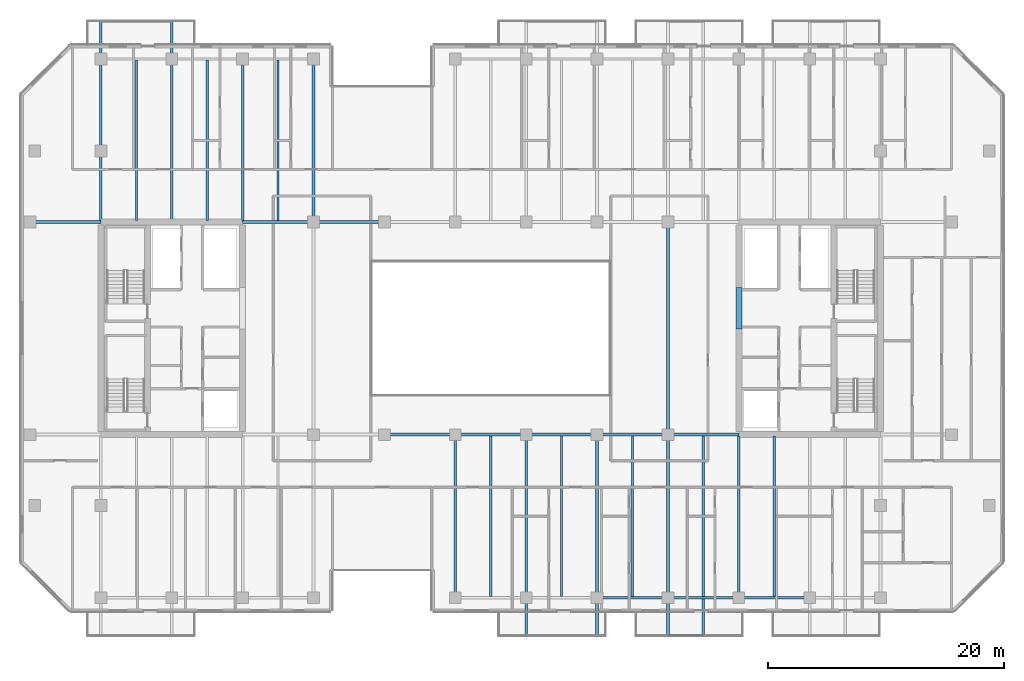
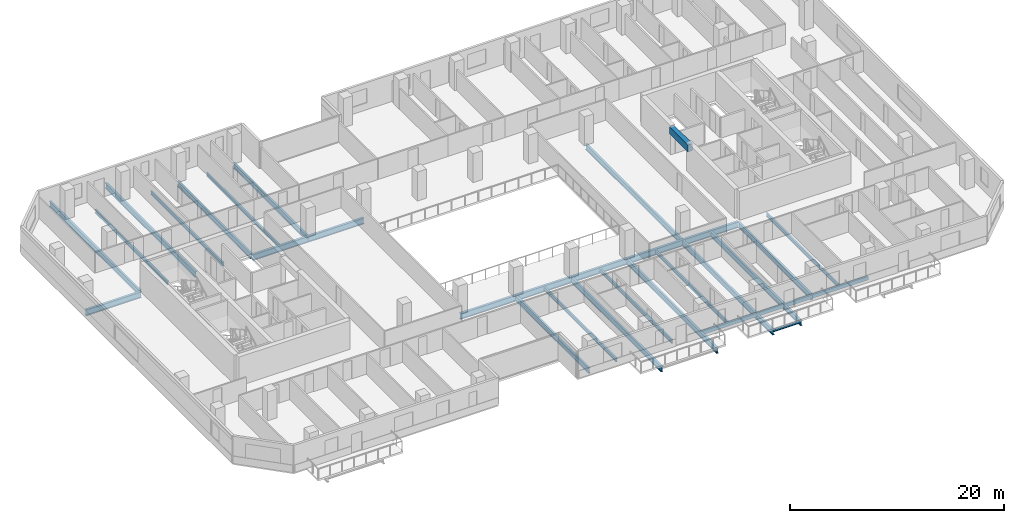
# One storey, part 5 of 23: 31 beams.
"""IFC4 building model written with IfcOpenShell, lengths in metres."""

from ifc_helpers import new_model, si_unit, direction, frame, origin, origin_2d, place, context, subcontext, project, spatial, rectangle, hollow_rectangle, i_section, extrude, material, material_profile, profile_set, type_object, element, save


model = new_model("IFC4")

# Units and contexts
model_context = context("Model", 3, precision=1e-05, world=origin(), true_north=direction((0.0, 1.0)))
body_context = subcontext(model_context, "Body", "Model", "MODEL_VIEW")
ifc_project = project(units=[si_unit("LENGTHUNIT", "METRE"), si_unit("AREAUNIT", "SQUARE_METRE"), si_unit("VOLUMEUNIT", "CUBIC_METRE"), si_unit("PLANEANGLEUNIT", "RADIAN"), si_unit("MASSUNIT", "GRAM", prefix="KILO")], contexts=[model_context])

# Site, building, storey
site_placement = place(None, origin())
site = spatial("IfcSite", under=ifc_project, at=site_placement, CompositionType="ELEMENT")
building_placement = place(site_placement, origin())
building = spatial("IfcBuilding", under=site, at=building_placement, Name="Tanjung Sevakor Pilgrim Tower", CompositionType="ELEMENT")
storey_placement = place(building_placement, frame((0.0, 0.0, 98.669921875)))
storey = spatial("IfcBuildingStorey", under=building, at=storey_placement, Name="L27", CompositionType="ELEMENT", Elevation=98.669921875)

# Beams
ifc_material_1 = material(Name="Steel S355J2", Category="steel")
ifc_material_profile_1 = material_profile(ifc_material_1, i_section(OverallWidth=0.25439453125, OverallDepth=0.6875, WebThickness=0.01318359375, FlangeThickness=0.02099609375, FilletRadius=0.01513671875, at=origin_2d()))
ifc_profile_set_1 = profile_set([ifc_material_profile_1], Name="Steel S355J2")
beam_type_1 = type_object("IfcBeamType", Name="BM-B-G2-UB_686x254x152", PredefinedType="BEAM", material=ifc_profile_set_1)
for number, where, z_axis, x_axis, name in (
    (1, (48.0, 24.60009765625, -0.563720703125), (1.0, 0.0, 0.0), (0.0, 1.0, 0.0), "L27 Primary Floor Girder MAIN Y246-04"),
    (2, (54.0, 24.60009765625, -0.563720703125), (1.0, 0.0, 0.0), (0.0, 1.0, 0.0), "L27 Primary Floor Girder MAIN Y246-05"),
    (3, (60.0, 24.60009765625, -0.563720703125), (1.0, 0.0, 0.0), (0.0, 1.0, 0.0), "L27 Primary Floor Girder MAIN Y246-06"),
    (4, (66.0, 24.60009765625, -0.563720703125), (1.0, 0.0, 0.0), (0.0, 1.0, 0.0), "L27 Primary Floor Girder MAIN Y246-07"),
    (5, (72.0, 24.60009765625, -0.563720703125), (1.0, 0.0, 0.0), (0.0, 1.0, 0.0), "L27 Primary Floor Girder MAIN Y246-08"),
    (6, (18.0, 42.60009765625, -0.563720703125), (1.0, 0.0, 0.0), (0.0, 1.0, 0.0), "L27 Primary Floor Girder MAIN Y426-01"),
    (7, (36.0, 42.60009765625, -0.563720703125), (1.0, 0.0, 0.0), (0.0, 1.0, 0.0), "L27 Primary Floor Girder MAIN Y426-02"),
    (8, (42.0, 42.60009765625, -0.563720703125), (1.0, 0.0, 0.0), (0.0, 1.0, 0.0), "L27 Primary Floor Girder MAIN Y426-03"),
):
    element("IfcBeam", number, at=place(storey_placement, frame(where, z_axis=z_axis, x_axis=x_axis)), inside=storey, type_object=beam_type_1, Name=name, PredefinedType="BEAM", context=body_context, shape_type="SweptSolid", body=[
        extrude(i_section(OverallWidth=0.25439453125, OverallDepth=0.6875, WebThickness=0.01318359375, FlangeThickness=0.02099609375, FilletRadius=0.01513671875, at=origin_2d()), origin(), (0.0, 0.0, 1.0), 6.0),
    ])
ifc_material_2 = material(Name="Steel S355J2", Category="steel")
ifc_material_profile_2 = material_profile(ifc_material_2, i_section(OverallWidth=0.230224609375, OverallDepth=0.6171875, WebThickness=0.01318359375, FlangeThickness=0.022216796875, FilletRadius=0.0126953125, at=origin_2d()))
ifc_profile_set_2 = profile_set([ifc_material_profile_2], Name="Steel S355J2")
beam_type_2 = type_object("IfcBeamType", Name="BM-B-G3-UB_610x229x140", PredefinedType="BEAM", material=ifc_profile_set_2)
for number, where, z_axis, x_axis, name in (
    (9, (24.0, 42.727294921875, -0.528564453125), (0.0, 1.0, 0.0), (-1.0, 0.0, 0.0), "L27 Balcony Cantilever Beam MAIN-N1-1"),
    (10, (30.0, 42.727294921875, -0.528564453125), (0.0, 1.0, 0.0), (-1.0, 0.0, 0.0), "L27 Balcony Cantilever Beam MAIN-N1-2"),
):
    element("IfcBeam", number, at=place(storey_placement, frame(where, z_axis=z_axis, x_axis=x_axis)), inside=storey, type_object=beam_type_2, Name=name, PredefinedType="BEAM", context=body_context, shape_type="SweptSolid", body=[
        extrude(i_section(OverallWidth=0.230224609375, OverallDepth=0.6171875, WebThickness=0.01318359375, FlangeThickness=0.022216796875, FilletRadius=0.0126953125, at=origin_2d()), origin(), (0.0, 0.0, 1.0), 16.852783203125),
    ])
beam_1_placement = place(storey_placement, frame((36.0, 42.727294921875, -0.528564453125), z_axis=(0.0, 1.0, 0.0), x_axis=(-1.0, 0.0, 0.0)))
element("IfcBeam", 11, at=beam_1_placement, inside=storey, type_object=beam_type_2, Name="L27 MAIN Girder 006", PredefinedType="BEAM", context=body_context, shape_type="SweptSolid", body=[
    extrude(i_section(OverallWidth=0.230224609375, OverallDepth=0.6171875, WebThickness=0.01318359375, FlangeThickness=0.022216796875, FilletRadius=0.0126953125, at=origin_2d()), origin(), (0.0, 0.0, 1.0), 13.672607421875),
])
beam_2_placement = place(storey_placement, frame((42.0, 42.60009765625, -0.528564453125), z_axis=(0.0, 1.0, 0.0), x_axis=(-1.0, 0.0, 0.0)))
element("IfcBeam", 12, at=beam_2_placement, inside=storey, type_object=beam_type_2, Name="L27 MAIN Girder 011", PredefinedType="BEAM", context=body_context, shape_type="SweptSolid", body=[
    extrude(i_section(OverallWidth=0.230224609375, OverallDepth=0.6171875, WebThickness=0.01318359375, FlangeThickness=0.022216796875, FilletRadius=0.0126953125, at=origin_2d()), origin(), (0.0, 0.0, 1.0), 13.7998046875),
])
beam_3_placement = place(storey_placement, frame((54.0, 10.800048828125, -0.528564453125), z_axis=(0.0, 1.0, 0.0), x_axis=(-1.0, 0.0, 0.0)))
element("IfcBeam", 13, at=beam_3_placement, inside=storey, type_object=beam_type_2, Name="L27 MAIN Girder 012", PredefinedType="BEAM", context=body_context, shape_type="SweptSolid", body=[
    extrude(i_section(OverallWidth=0.230224609375, OverallDepth=0.6171875, WebThickness=0.01318359375, FlangeThickness=0.022216796875, FilletRadius=0.0126953125, at=origin_2d()), origin(), (0.0, 0.0, 1.0), 13.800048828125),
])
for number, where, z_axis, x_axis, name in (
    (14, (60.0, 24.60009765625, -0.528564453125), (0.0, -1.0, 0.0), (1.0, 0.0, 0.0), "L27 Balcony Cantilever Beam MAIN-S2-1"),
    (15, (66.0, 24.60009765625, -0.528564453125), (0.0, -1.0, 0.0), (1.0, 0.0, 0.0), "L27 Balcony Cantilever Beam MAIN-S2-2"),
    (16, (72.0, 24.60009765625, -0.528564453125), (0.0, -1.0, 0.0), (1.0, 0.0, 0.0), "L27 Balcony Cantilever Beam MAIN-S3-1"),
):
    element("IfcBeam", number, at=place(storey_placement, frame(where, z_axis=z_axis, x_axis=x_axis)), inside=storey, type_object=beam_type_2, Name=name, PredefinedType="BEAM", context=body_context, shape_type="SweptSolid", body=[
        extrude(i_section(OverallWidth=0.230224609375, OverallDepth=0.6171875, WebThickness=0.01318359375, FlangeThickness=0.022216796875, FilletRadius=0.0126953125, at=origin_2d()), origin(), (0.0, 0.0, 1.0), 16.97998046875),
    ])
beam_4_placement = place(storey_placement, frame((72.0, 24.60009765625, -0.528564453125), z_axis=(0.0, 1.0, 0.0), x_axis=(-1.0, 0.0, 0.0)))
element("IfcBeam", 17, at=beam_4_placement, inside=storey, type_object=beam_type_2, Name="L27 MAIN Girder 020", PredefinedType="BEAM", context=body_context, shape_type="SweptSolid", body=[
    extrude(i_section(OverallWidth=0.230224609375, OverallDepth=0.6171875, WebThickness=0.01318359375, FlangeThickness=0.022216796875, FilletRadius=0.0126953125, at=origin_2d()), origin(), (0.0, 0.0, 1.0), 18.0),
])
beam_5_placement = place(storey_placement, frame((78.0, 10.800048828125, -0.528564453125), z_axis=(0.0, 1.0, 0.0), x_axis=(-1.0, 0.0, 0.0)))
element("IfcBeam", 18, at=beam_5_placement, inside=storey, type_object=beam_type_2, Name="L27 MAIN Girder 021", PredefinedType="BEAM", context=body_context, shape_type="SweptSolid", body=[
    extrude(i_section(OverallWidth=0.230224609375, OverallDepth=0.6171875, WebThickness=0.01318359375, FlangeThickness=0.022216796875, FilletRadius=0.0126953125, at=origin_2d()), origin(), (0.0, 0.0, 1.0), 13.672607421875),
])
ifc_material_3 = material(Name="Steel S355J2", Category="steel")
ifc_material_profile_3 = material_profile(ifc_material_3, i_section(OverallWidth=0.22900390625, OverallDepth=0.6123046875, WebThickness=0.011962890625, FlangeThickness=0.01953125, FilletRadius=0.0126953125, at=origin_2d()))
ifc_profile_set_3 = profile_set([ifc_material_profile_3], Name="Steel S355J2")
beam_type_3 = type_object("IfcBeamType", Name="BM-B-G4-UB_610x229x125", PredefinedType="BEAM", material=ifc_profile_set_3)
beam_6_placement = place(storey_placement, frame((75.0, 24.47265625, -0.526123046875), z_axis=(0.0, -1.0, 0.0), x_axis=(1.0, 0.0, 0.0)))
element("IfcBeam", 19, at=beam_6_placement, inside=storey, type_object=beam_type_3, Name="L27 Balcony Cantilever Beam MAIN-S3-2", PredefinedType="BEAM", context=body_context, shape_type="SweptSolid", body=[
    extrude(i_section(OverallWidth=0.22900390625, OverallDepth=0.6123046875, WebThickness=0.011962890625, FlangeThickness=0.01953125, FilletRadius=0.0126953125, at=origin_2d()), origin(), (0.0, 0.0, 1.0), 16.8525390625),
])
ifc_material_4 = material(Name="Steel S355J2", Category="steel")
ifc_material_profile_4 = material_profile(ifc_material_4, i_section(OverallWidth=0.1787109375, OverallDepth=0.409423828125, WebThickness=0.0087890625, FlangeThickness=0.014404296875, FilletRadius=0.01025390625, at=origin_2d()))
ifc_profile_set_4 = profile_set([ifc_material_profile_4], Name="Steel S355J2")
beam_type_4 = type_object("IfcBeamType", Name="BM-B-J3-UB_406x178x67", PredefinedType="JOIST", material=ifc_profile_set_4)
for number, where, z_axis, x_axis, name in (
    (20, (27.0, 42.727294921875, -0.424560546875), (0.0, 1.0, 0.0), (-1.0, 0.0, 0.0), "L27 MAIN Joist 002"),
    (21, (33.0, 42.727294921875, -0.424560546875), (0.0, 1.0, 0.0), (-1.0, 0.0, 0.0), "L27 MAIN Joist 004"),
    (22, (39.0, 42.727294921875, -0.424560546875), (0.0, 1.0, 0.0), (-1.0, 0.0, 0.0), "L27 MAIN Joist 008"),
    (23, (57.0, 10.89990234375, -0.424560546875), (0.0, 1.0, 0.0), (-1.0, 0.0, 0.0), "L27 MAIN Joist 014"),
    (24, (63.0, 10.89990234375, -0.424560546875), (0.0, 1.0, 0.0), (-1.0, 0.0, 0.0), "L27 MAIN Joist 016"),
    (25, (69.0, 10.89990234375, -0.424560546875), (0.0, 1.0, 0.0), (-1.0, 0.0, 0.0), "L27 MAIN Joist 018"),
    (26, (81.0, 10.89990234375, -0.424560546875), (0.0, 1.0, 0.0), (-1.0, 0.0, 0.0), "L27 MAIN Joist 023"),
):
    element("IfcBeam", number, at=place(storey_placement, frame(where, z_axis=z_axis, x_axis=x_axis)), inside=storey, type_object=beam_type_4, Name=name, PredefinedType="JOIST", context=body_context, shape_type="SweptSolid", body=[
        extrude(i_section(OverallWidth=0.1787109375, OverallDepth=0.409423828125, WebThickness=0.0087890625, FlangeThickness=0.014404296875, FilletRadius=0.01025390625, at=origin_2d()), origin(), (0.0, 0.0, 1.0), 13.57275390625),
    ])
ifc_material_5 = material(Name="Steel S355J2", Category="steel")
ifc_material_profile_5 = material_profile(ifc_material_5, i_section(OverallWidth=0.146484375, OverallDepth=0.256103515625, WebThickness=0.00634765625, FlangeThickness=0.010986328125, FilletRadius=0.007568359375, at=origin_2d()))
ifc_profile_set_5 = profile_set([ifc_material_profile_5], Name="Steel S355J2")
beam_type_5 = type_object("IfcBeamType", Name="BM-B-J6-UB_254x146x37", PredefinedType="JOIST", material=ifc_profile_set_5)
beam_7_placement = place(storey_placement, frame((72.0, 7.6201171875, -0.327880859375), z_axis=(1.0, 0.0, 0.0), x_axis=(0.0, 1.0, 0.0)))
element("IfcBeam", 27, at=beam_7_placement, inside=storey, type_object=beam_type_5, Name="L27 Balcony Rim Tie MAIN-S3", PredefinedType="JOIST", context=body_context, shape_type="SweptSolid", body=[
    extrude(i_section(OverallWidth=0.146484375, OverallDepth=0.256103515625, WebThickness=0.00634765625, FlangeThickness=0.010986328125, FilletRadius=0.007568359375, at=origin_2d()), origin(), (0.0, 0.0, 1.0), 3.0),
])
ifc_material_6 = material(Name="Concrete C60/75", Category="concrete")
ifc_material_profile_6 = material_profile(ifc_material_6, rectangle(XDim=0.5, YDim=0.800048828125, at=origin_2d()))
ifc_profile_set_6 = profile_set([ifc_material_profile_6], Name="Concrete C60/75")
beam_type_6 = type_object("IfcBeamType", Name="BM-B-LN2-RC-BM_500x800", PredefinedType="LINTEL", material=ifc_profile_set_6)
beam_8_placement = place(storey_placement, frame((78.0, 33.550048828125, 2.68017578125), z_axis=(0.0, 1.0, 0.0), x_axis=(-1.0, 0.0, 0.0)))
element("IfcBeam", 28, at=beam_8_placement, inside=storey, type_object=beam_type_6, Name="L27 E Core Coupling Lintel", PredefinedType="LINTEL", context=body_context, shape_type="SweptSolid", body=[
    extrude(rectangle(XDim=0.5, YDim=0.800048828125, at=origin_2d()), origin(), (0.0, 0.0, 1.0), 3.5),
])
ifc_material_7 = material(Name="Steel S355J2", Category="steel")
ifc_material_profile_7 = material_profile(ifc_material_7, hollow_rectangle(XDim=0.199951171875, YDim=0.39990234375, WallThickness=0.01611328125, at=origin_2d()))
ifc_profile_set_7 = profile_set([ifc_material_profile_7], Name="Steel S355J2")
beam_type_7 = type_object("IfcBeamType", Name="BM-B-SP2-RHS_400x200x16", PredefinedType="SPANDREL", material=ifc_profile_set_7)
for number, where, z_axis, x_axis, name in (
    (29, (66.0, 10.800048828125, -0.419921875), (1.0, 0.0, 0.0), (0.0, 1.0, 0.0), "L27 Spandrel MAIN S-11"),
    (30, (72.0, 10.800048828125, -0.419921875), (1.0, 0.0, 0.0), (0.0, 1.0, 0.0), "L27 Spandrel MAIN S-13"),
    (31, (78.0, 10.800048828125, -0.419921875), (1.0, 0.0, 0.0), (0.0, 1.0, 0.0), "L27 Spandrel MAIN S-15"),
):
    element("IfcBeam", number, at=place(storey_placement, frame(where, z_axis=z_axis, x_axis=x_axis)), inside=storey, type_object=beam_type_7, Name=name, PredefinedType="SPANDREL", context=body_context, shape_type="SweptSolid", body=[
        extrude(hollow_rectangle(XDim=0.199951171875, YDim=0.39990234375, WallThickness=0.01611328125, at=origin_2d()), origin(), (0.0, 0.0, 1.0), 6.0),
    ])

save(model, "model.ifc")
